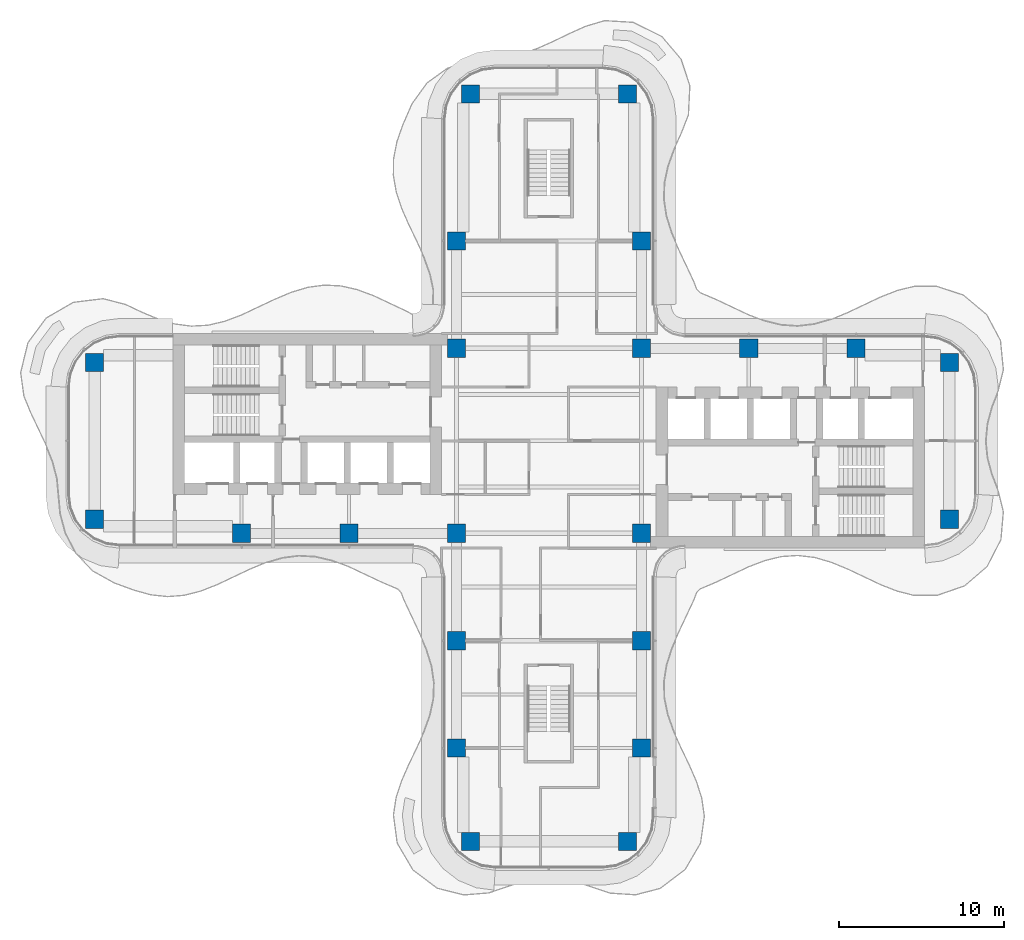
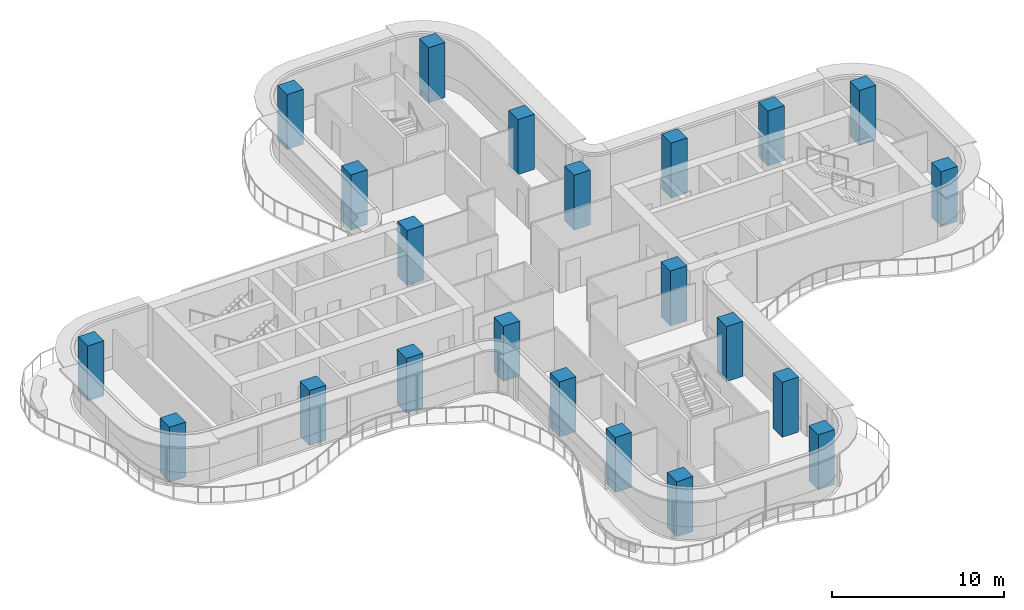
# One storey, part 1 of 17: 22 columns.
"""IFC4 building model written with IfcOpenShell, lengths in metres."""

from ifc_helpers import new_model, si_unit, direction, frame, origin, origin_2d, place, context, subcontext, project, spatial, rectangle, extrude, source, transform, mapped, material, material_profile, profile_set, type_object, element, save


model = new_model("IFC4")

# Units and contexts
model_context = context("Model", 3, precision=1e-05, world=origin(), true_north=direction((0.0, 1.0)))
body_context = subcontext(model_context, "Body", "Model", "MODEL_VIEW")
ifc_project = project(units=[si_unit("LENGTHUNIT", "METRE"), si_unit("AREAUNIT", "SQUARE_METRE"), si_unit("VOLUMEUNIT", "CUBIC_METRE"), si_unit("PLANEANGLEUNIT", "RADIAN"), si_unit("MASSUNIT", "GRAM", prefix="KILO")], contexts=[model_context])

# Site, building, storey
site_placement = place(None, origin())
site = spatial("IfcSite", under=ifc_project, at=site_placement, CompositionType="ELEMENT")
building_placement = place(site_placement, origin())
building = spatial("IfcBuilding", under=site, at=building_placement, Name="Trellis Farm Tower", CompositionType="ELEMENT")
storey_placement = place(building_placement, frame((0.0, 0.0, 236.300048828125)))
storey = spatial("IfcBuildingStorey", under=building, at=storey_placement, Name="L52", CompositionType="ELEMENT", Elevation=236.300048828125)

# Columns
ifc_material = material(Name="Concrete C60/75", Category="concrete")
ifc_material_profile = material_profile(ifc_material, rectangle(XDim=1.10009765625, YDim=1.10009765625, at=origin_2d()), Name="RC column 1100x1100 C60/75")
ifc_profile_set = profile_set([ifc_material_profile], Name="Concrete C60/75")
column_type = type_object("IfcColumnType", Name="RC column 1100x1100 C60/75", PredefinedType="COLUMN", material=ifc_profile_set)
shared_shape = source(origin(), body_context, "Body", "SweptSolid", [
    extrude(rectangle(XDim=1.10009765625, YDim=1.10009765625, at=origin_2d()), origin(), (0.0, 0.0, 1.0), 3.89990234375),
])
for number, where, z_axis, x_axis, name in (
    (1, (12.10009765625, 5.60009765625, 0.0), (0.0, 0.0, 1.0), (1.0, 0.0, 0.0), "Column"),
    (2, (18.60009765625, 5.60009765625, 0.0), (0.0, 0.0, 1.0), (1.0, 0.0, 0.0), "Column"),
    (3, (24.25, 4.75, 0.0), (0.0, 0.0, 1.0), (1.0, 0.0, 0.0), "Column"),
    (4, (24.25, -4.75, 0.0), (0.0, 0.0, 1.0), (1.0, 0.0, 0.0), "Column"),
    (5, (-5.60009765625, 12.10009765625, 0.0), (0.0, 0.0, 1.0), (1.0, 0.0, 0.0), "Column"),
    (6, (-4.75, 21.0, 0.0), (0.0, 0.0, 1.0), (1.0, 0.0, 0.0), "Column"),
    (7, (5.60009765625, 12.10009765625, 0.0), (0.0, 0.0, 1.0), (1.0, 0.0, 0.0), "Column"),
    (8, (4.75, 21.0, 0.0), (0.0, 0.0, 1.0), (1.0, 0.0, 0.0), "Column"),
    (9, (5.60009765625, 5.60009765625, 0.0), (0.0, 0.0, 1.0), (1.0, 0.0, 0.0), "Column"),
    (10, (-5.60009765625, 5.60009765625, 0.0), (0.0, 0.0, 1.0), (1.0, 0.0, 0.0), "Column"),
    (11, (5.60009765625, -5.60009765625, 0.0), (0.0, 0.0, 1.0), (1.0, 0.0, 0.0), "Column"),
    (12, (-5.60009765625, -5.60009765625, 0.0), (0.0, 0.0, 1.0), (1.0, 0.0, 0.0), "Column"),
    (13, (5.60009765625, -12.10009765625, 0.0), (0.0, 0.0, 1.0), (1.0, 0.0, 0.0), "Column"),
    (14, (5.60009765625, -18.60009765625, 0.0), (0.0, 0.0, 1.0), (1.0, 0.0, 0.0), "Column"),
    (15, (4.75, -24.25, 0.0), (0.0, 0.0, 1.0), (1.0, 0.0, 0.0), "Column"),
    (16, (-5.60009765625, -12.10009765625, 0.0), (0.0, 0.0, 1.0), (1.0, 0.0, 0.0), "Column"),
    (17, (-5.60009765625, -18.60009765625, 0.0), (0.0, 0.0, 1.0), (1.0, 0.0, 0.0), "Column"),
    (18, (-4.75, -24.25, 0.0), (0.0, 0.0, 1.0), (1.0, 0.0, 0.0), "Column"),
    (19, (-12.10009765625, -5.60009765625, 0.0), (0.0, 0.0, 1.0), (1.0, 0.0, 0.0), "Column"),
    (20, (-18.60009765625, -5.60009765625, 0.0), (0.0, 0.0, 1.0), (1.0, 0.0, 0.0), "Column"),
    (21, (-27.5, -4.75, 0.0), (0.0, 0.0, 1.0), (1.0, 0.0, 0.0), "Column"),
    (22, (-27.5, 4.75, 0.0), (0.0, 0.0, 1.0), (1.0, 0.0, 0.0), "Column"),
):
    element("IfcColumn", number, at=place(storey_placement, frame(where, z_axis=z_axis, x_axis=x_axis)), inside=storey, type_object=column_type, Name=name, PredefinedType="COLUMN", context=body_context, shape_type="MappedRepresentation", body=[
        mapped(shared_shape, transform((0.0, 0.0, 0.0))),
    ])

save(model, "model.ifc")
